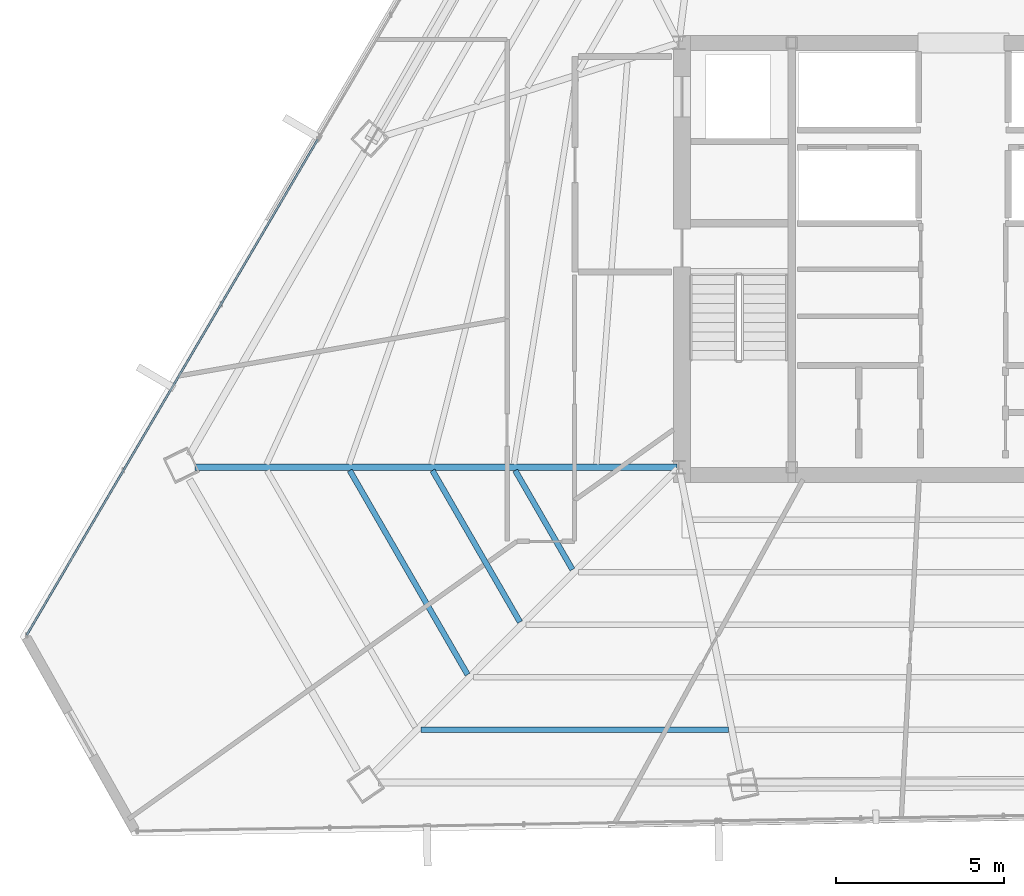
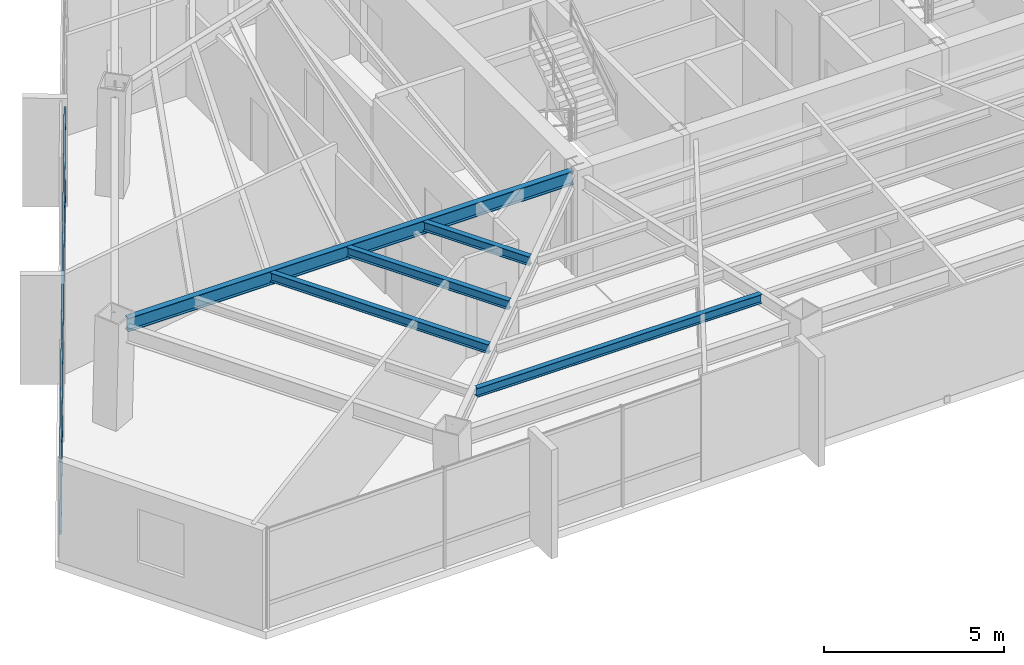
# One storey, part 9 of 42: 5 beams, 2 members, 1 element without a shape of its own.
"""IFC4 building model written with IfcOpenShell, lengths in metres."""

from ifc_helpers import new_model, si_unit, direction, frame, origin, origin_2d, place, context, subcontext, project, spatial, hollow_rectangle, i_section, extrude, source, transform, mapped, material, material_profile, profile_set, type_object, type_shapes, element, aggregate, save


model = new_model("IFC4")

# Units and contexts
model_context = context("Model", 3, precision=1e-05, world=origin(), true_north=direction((0.0, 1.0)))
body_context = subcontext(model_context, "Body", "Model", "MODEL_VIEW")
ifc_project = project(units=[si_unit("LENGTHUNIT", "METRE"), si_unit("AREAUNIT", "SQUARE_METRE"), si_unit("VOLUMEUNIT", "CUBIC_METRE"), si_unit("PLANEANGLEUNIT", "RADIAN"), si_unit("MASSUNIT", "GRAM", prefix="KILO")], contexts=[model_context])

# Site, building, storey
site_placement = place(None, origin())
site = spatial("IfcSite", under=ifc_project, at=site_placement, CompositionType="ELEMENT")
building_placement = place(site_placement, origin())
building = spatial("IfcBuilding", under=site, at=building_placement, Name="Caelisora Broadcast Tower", CompositionType="ELEMENT")
storey_placement = place(building_placement, frame((0.0, 0.0, 187.699951171875)))
storey = spatial("IfcBuildingStorey", under=building, at=storey_placement, Name="L49", CompositionType="ELEMENT", Elevation=187.699951171875)

# Beams
ifc_material_1 = material(Name="Steel Grade 350 (AS/NZS 3679.1)", Category="steel")
ifc_material_profile_1 = material_profile(ifc_material_1, i_section(OverallWidth=0.19091796875, OverallDepth=0.46044921875, WebThickness=0.010009765625, FlangeThickness=0.01611328125, at=origin_2d()), Name="Steel Grade 350 (AS/NZS 3679.1)")
ifc_profile_set_1 = profile_set([ifc_material_profile_1], Name="Steel Grade 350 (AS/NZS 3679.1)")
beam_type_1 = type_object("IfcBeamType", Name="PG06", PredefinedType="BEAM", material=ifc_profile_set_1)
shared_shape_1 = source(origin(), body_context, "Body", "SweptSolid", [
    extrude(i_section(OverallWidth=0.19091796875, OverallDepth=0.46044921875, WebThickness=0.010009765625, FlangeThickness=0.01611328125, at=origin_2d()), origin(), (0.0, 0.0, 1.0), 14.301513671875),
])
type_shapes(beam_type_1, [shared_shape_1])
beam_1_placement = place(storey_placement, frame((30.43994140625, 17.39990234375, 3.169921875), z_axis=(-0.999999971441, -0.000238993489, 0.0), x_axis=(0.000238993489, -0.999999971441, 0.0)))
element("IfcBeam", 1, at=beam_1_placement, inside=storey, type_object=beam_type_1, Name="L49 beam PG06", PredefinedType="BEAM", context=body_context, shape_type="MappedRepresentation", body=[
    mapped(shared_shape_1, transform((0.0, 0.0, 0.0), scale=1.0)),
])
ifc_material_profile_2 = material_profile(ifc_material_1, i_section(OverallWidth=0.166015625, OverallDepth=0.30712890625, WebThickness=0.006591796875, FlangeThickness=0.01171875, at=origin_2d()), Name="Steel Grade 350 (AS/NZS 3679.1)")
ifc_profile_set_2 = profile_set([ifc_material_profile_2], Name="Steel Grade 350 (AS/NZS 3679.1)")
beam_type_2 = type_object("IfcBeamType", Name="SB03", PredefinedType="JOIST", material=ifc_profile_set_2)
shared_shape_2 = source(origin(), body_context, "Body", "SweptSolid", [
    extrude(i_section(OverallWidth=0.166015625, OverallDepth=0.30712890625, WebThickness=0.006591796875, FlangeThickness=0.01171875, at=origin_2d()), origin(), (0.0, 0.0, 1.0), 3.396728515625),
])
beam_2_placement = place(storey_placement, frame((25.64111328125, 17.305908203125, 3.246337890625), z_axis=(0.500027308624, -0.866009636569, 0.0), x_axis=(0.866009636569, 0.500027308624, 0.0)))
element("IfcBeam", 2, at=beam_2_placement, inside=storey, type_object=beam_type_2, Name="L49 beam SB03", PredefinedType="JOIST", context=body_context, shape_type="MappedRepresentation", body=[
    mapped(shared_shape_2, transform((0.0, 0.0, 0.0), scale=1.0)),
])
shared_shape_3 = source(origin(), body_context, "Body", "SweptSolid", [
    extrude(i_section(OverallWidth=0.166015625, OverallDepth=0.30712890625, WebThickness=0.006591796875, FlangeThickness=0.01171875, at=origin_2d()), origin(), (0.0, 0.0, 1.0), 5.197021484375),
])
beam_3_placement = place(storey_placement, frame((23.184814453125, 17.305419921875, 3.246337890625), z_axis=(0.499984066975, -0.866034602525, 0.0), x_axis=(0.866034602525, 0.499984066975, 0.0)))
element("IfcBeam", 3, at=beam_3_placement, inside=storey, type_object=beam_type_2, Name="L49 beam SB03", PredefinedType="JOIST", context=body_context, shape_type="MappedRepresentation", body=[
    mapped(shared_shape_3, transform((0.0, 0.0, 0.0), scale=1.0)),
])
shared_shape_4 = source(origin(), body_context, "Body", "SweptSolid", [
    extrude(i_section(OverallWidth=0.166015625, OverallDepth=0.30712890625, WebThickness=0.006591796875, FlangeThickness=0.01171875, at=origin_2d()), origin(), (0.0, 0.0, 1.0), 6.99658203125),
])
beam_4_placement = place(storey_placement, frame((20.728515625, 17.3046875, 3.246337890625), z_axis=(0.499993291712, -0.866029276782, 0.0), x_axis=(0.866029276782, 0.499993291712, 0.0)))
element("IfcBeam", 4, at=beam_4_placement, inside=storey, type_object=beam_type_2, Name="L49 beam SB03", PredefinedType="JOIST", context=body_context, shape_type="MappedRepresentation", body=[
    mapped(shared_shape_4, transform((0.0, 0.0, 0.0), scale=1.0)),
])
shared_shape_5 = source(origin(), body_context, "Body", "SweptSolid", [
    extrude(i_section(OverallWidth=0.166015625, OverallDepth=0.30712890625, WebThickness=0.006591796875, FlangeThickness=0.01171875, at=origin_2d()), origin(), (0.0, 0.0, 1.0), 9.128173828125),
])
type_shapes(beam_type_2, [shared_shape_2, shared_shape_3, shared_shape_4, shared_shape_5])
beam_5_placement = place(storey_placement, frame((22.850341796875, 9.602783203125, 3.246337890625), z_axis=(1.0, 0.0, 0.0), x_axis=(0.0, 1.0, 0.0)))
element("IfcBeam", 5, at=beam_5_placement, inside=storey, type_object=beam_type_2, Name="L49 beam SB03", PredefinedType="JOIST", context=body_context, shape_type="MappedRepresentation", body=[
    mapped(shared_shape_5, transform((0.0, 0.0, 0.0), scale=1.0)),
])

# Curtain wall, members
ifc_material_2 = material(Name="Unitised Aluminium and Low-E Glass Curtain Wall", Category="glass")
curtain_wall_type = type_object("IfcCurtainWallType", Name="CW-Z4", PredefinedType="NOTDEFINED", material=ifc_material_2)
curtain_wall_placement = place(storey_placement, origin())
curtain_wall = element("IfcCurtainWall", 6, at=curtain_wall_placement, inside=storey, type_object=curtain_wall_type, Name="L49 curtain wall CW-Z4", PredefinedType="NOTDEFINED")
ifc_material_3 = material(Name="Aluminium 6063-T6 Anodised Terracotta Bronze", Category="aluminium")
ifc_material_profile_3 = material_profile(ifc_material_3, hollow_rectangle(XDim=0.06005859375, YDim=0.1201171875, WallThickness=0.0029296875, at=origin_2d()), Name="Aluminium 6063-T6 Anodised Terracotta Bronze")
ifc_profile_set_3 = profile_set([ifc_material_profile_3], Name="Aluminium 6063-T6 Anodised Terracotta Bronze")
member_type = type_object("IfcMemberType", Name="CWT-03", PredefinedType="USERDEFINED", material=ifc_profile_set_3)
shared_shape_6 = source(origin(), body_context, "Body", "SweptSolid", [
    extrude(hollow_rectangle(XDim=0.06005859375, YDim=0.1201171875, WallThickness=0.0029296875, at=origin_2d()), origin(), (0.0, 0.0, 1.0), 17.072998046875),
])
type_shapes(member_type, [shared_shape_6])
member_1_placement = place(storey_placement, frame((11.13720703125, 12.4150390625, 0.85009765625), z_axis=(0.506340674731, 0.862333532407, 0.0), x_axis=(-0.862333532407, 0.506340674731, 0.0)))
member_1 = element("IfcMember", 7, at=member_1_placement, type_object=member_type, Name="L49-CW-B09 transom #1", ObjectType="TRANSOM", PredefinedType="USERDEFINED", context=body_context, shape_type="MappedRepresentation", body=[
    mapped(shared_shape_6, transform((0.0, 0.0, 0.0), scale=1.0)),
])
member_2_placement = place(storey_placement, frame((11.13720703125, 12.4150390625, 3.320068359375), z_axis=(0.506340674731, 0.862333532407, 0.0), x_axis=(-0.862333532407, 0.506340674731, 0.0)))
member_2 = element("IfcMember", 8, at=member_2_placement, type_object=member_type, Name="L49-CW-B09 transom #2", ObjectType="TRANSOM", PredefinedType="USERDEFINED", context=body_context, shape_type="MappedRepresentation", body=[
    mapped(shared_shape_6, transform((0.0, 0.0, 0.0), scale=1.0)),
])
aggregate(curtain_wall, [member_1, member_2])

save(model, "model.ifc")
